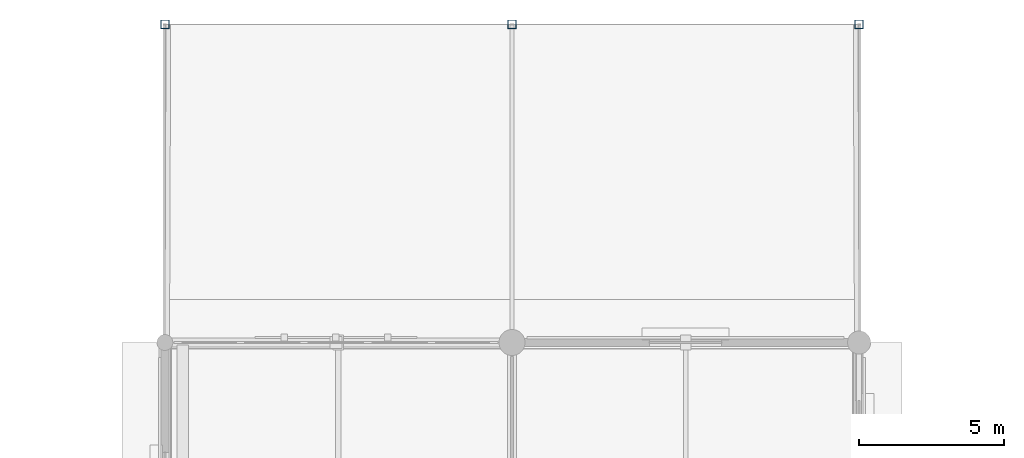
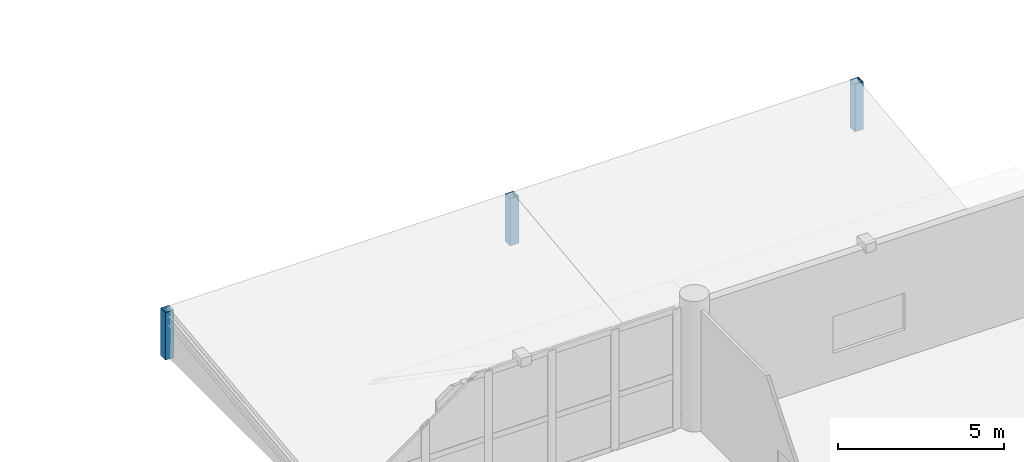
# One storey, part 20 of 143: 3 columns.
"""IFC4 building model written with IfcOpenShell, lengths in metres."""

import ifcopenshell
import ifcopenshell.guid

model = None  # the IFC model being written
_history = None  # IfcOwnerHistory: only IFC2X3 demands one
_inside = {}  # id of a spatial element -> (the spatial element, [elements in it])
_under = {}  # id of a project, library or spatial element -> (it, [spatial elements below it])
_declared = {}  # id of a project -> (the project, [libraries it declares])
_typed = {}  # id of a type object -> (the type object, [elements of that type])
_made_of = {}  # id of a material, layer set ... -> (it, [elements and type objects made of it])


def new_model(schema):
    """Start an empty IFC model of exactly this schema.

    Asked for "IFC4X3", IfcOpenShell would pick the latest addendum, in which some entities
    have other attributes; the version numbers below select the first issue.
    IFC2X3 requires an IfcOwnerHistory on every rooted entity: one is made here for all.
    """
    global model, _history
    if schema == "IFC4X3":
        model = ifcopenshell.file(schema_version=(4, 3, 0, 0))
    else:
        model = ifcopenshell.file(schema=schema)
    _inside.clear()
    _under.clear()
    _declared.clear()
    _typed.clear()
    _made_of.clear()
    _history = None
    if model.schema == "IFC2X3":
        org = make("IfcOrganization", Name="unknown")
        user = make(
            "IfcPersonAndOrganization",
            ThePerson=make("IfcPerson", FamilyName="unknown"),
            TheOrganization=org,
        )
        app = make(
            "IfcApplication",
            ApplicationDeveloper=org,
            Version="unknown",
            ApplicationFullName="unknown",
            ApplicationIdentifier="unknown",
        )
        _history = make(
            "IfcOwnerHistory",
            OwningUser=user,
            OwningApplication=app,
            ChangeAction="ADDED",
            CreationDate=0,
        )
    return model


def make(cls, **values):
    """One entity of the class cls with the attributes given. An attribute that is None is left unset."""
    return model.create_entity(
        cls, **{name: value for name, value in values.items() if value is not None}
    )


def rooted(cls, **values):
    """An entity with a GlobalId (a new one), such as an element, a storey or a relation."""
    return make(cls, GlobalId=ifcopenshell.guid.new(), OwnerHistory=_history, **values)


def si_unit(unit_type, name, prefix=None):
    """IfcSIUnit, for example si_unit("LENGTHUNIT", "METRE", prefix="MILLI")."""
    return make("IfcSIUnit", UnitType=unit_type, Prefix=prefix, Name=name)


def assignment(units):
    """IfcUnitAssignment: the units of a project."""
    return None if units is None else make("IfcUnitAssignment", Units=units)


def point(xyz):
    """IfcCartesianPoint."""
    return None if xyz is None else make("IfcCartesianPoint", Coordinates=xyz)


def direction(xyz):
    """IfcDirection."""
    return None if xyz is None else make("IfcDirection", DirectionRatios=xyz)


def frame(location, z_axis=None, x_axis=None):
    """IfcAxis2Placement3D, a coordinate frame: its origin and axes. An axis left out is left unset."""
    return make(
        "IfcAxis2Placement3D",
        Location=point(location),
        Axis=direction(z_axis),
        RefDirection=direction(x_axis),
    )


def frame_2d(location, x_axis=None):
    """IfcAxis2Placement2D, a coordinate frame in the plane: its origin and x axis."""
    return make(
        "IfcAxis2Placement2D", Location=point(location), RefDirection=direction(x_axis)
    )


def origin():
    """The frame at (0, 0, 0) with its axes left unset."""
    return frame((0.0, 0.0, 0.0))


def origin_2d():
    """The frame at (0, 0) in the plane with its x axis left unset."""
    return frame_2d((0.0, 0.0))


def place(relative_to, where):
    """IfcLocalPlacement: puts the frame where relative to a parent placement (None: the world)."""
    return make(
        "IfcLocalPlacement", PlacementRelTo=relative_to, RelativePlacement=where
    )


def context(
    kind, dimensions, precision=None, world=None, true_north=None, identifier=None
):
    """IfcGeometricRepresentationContext, for example the 3D "Model" context."""
    return make(
        "IfcGeometricRepresentationContext",
        ContextIdentifier=identifier,
        ContextType=kind,
        CoordinateSpaceDimension=dimensions,
        Precision=precision,
        WorldCoordinateSystem=world,
        TrueNorth=true_north,
    )


def subcontext(parent, identifier, kind, view, scale=None):
    """IfcGeometricRepresentationSubContext, for example "Body" below "Model"."""
    return make(
        "IfcGeometricRepresentationSubContext",
        ContextIdentifier=identifier,
        ContextType=kind,
        ParentContext=parent,
        TargetScale=scale,
        TargetView=view,
    )


def project(units=None, contexts=None):
    """IfcProject with its units and contexts."""
    return rooted(
        "IfcProject",
        Name="project",
        RepresentationContexts=contexts,
        UnitsInContext=assignment(units),
    )


def spatial(cls, under=None, at=None, **own):
    """A site, building, storey or space (cls), placed at a placement, below another one or the project."""
    s = rooted(cls, ObjectPlacement=at, **own)
    if under is not None:
        _under.setdefault(under.id(), (under, []))[1].append(s)
    return s


def profile(cls, at=None, kind="AREA", **sizes):
    """A parametric profile (cls). Its sizes go by their IFC names, for example OverallWidth=200.0."""
    return make(cls, ProfileType=kind, Position=at, **sizes)


def hollow_rectangle(**sizes):
    """IfcRectangleHollowProfileDef."""
    return profile("IfcRectangleHollowProfileDef", **sizes)


def extrude(swept, where, along, depth):
    """IfcExtrudedAreaSolid: the profile swept, set in the frame where, extruded along a direction by depth."""
    return make(
        "IfcExtrudedAreaSolid",
        SweptArea=swept,
        Position=where,
        ExtrudedDirection=direction(along),
        Depth=depth,
    )


def shape(context_of_items, identifier, shape_type, items):
    """IfcShapeRepresentation: the items that make up one representation, for example the "Body"."""
    return make(
        "IfcShapeRepresentation",
        ContextOfItems=context_of_items,
        RepresentationIdentifier=identifier,
        RepresentationType=shape_type,
        Items=items,
    )


def material(Name=None, Category=None):
    """IfcMaterial."""
    return make("IfcMaterial", Name=Name, Category=Category)


def material_profile(
    of_material, cross_section, Name=None, Category=None, Priority=None
):
    """IfcMaterialProfile: a cross section and its material."""
    return make(
        "IfcMaterialProfile",
        Name=Name,
        Material=of_material,
        Profile=cross_section,
        Priority=Priority,
        Category=Category,
    )


def profile_set(profiles, Name=None, composite=None):
    """IfcMaterialProfileSet."""
    return make(
        "IfcMaterialProfileSet",
        Name=Name,
        MaterialProfiles=profiles,
        CompositeProfile=composite,
    )


def made_of(thing, what):
    """Note that an element or type object is made of a material, layer set ...; save() writes the relation."""
    if what is not None:
        _made_of.setdefault(what.id(), (what, []))[1].append(thing)
    return thing


def type_object(cls, material=None, **own):
    """A type object (cls), such as IfcWallType, which elements share."""
    return made_of(rooted(cls, **own), material)


def element(
    cls,
    number,
    at=None,
    inside=None,
    cuts=None,
    type_object=None,
    material=None,
    context=None,
    identifier="Body",
    shape_type=None,
    held_by="IfcProductDefinitionShape",
    body=None,
    shapes=None,
    **own,
):
    """One element of the class cls, such as IfcWall. Its Tag is "e" and its number.

    at: its placement. inside: the storey or other place that contains it. cuts: it is an
    opening in that element (IfcRelVoidsElement). A single representation is given by context,
    identifier, shape_type and body (its items); several are given by shapes. held_by: the class
    of the entity that holds the representations. save() writes the other relations.
    """
    e = rooted(cls, Tag="e%d" % number, ObjectPlacement=at, **own)
    if body is not None:
        shapes = [shape(context, identifier, shape_type, body)]
    if shapes is not None:
        e.Representation = make(held_by, Representations=shapes)
    if inside is not None:
        _inside.setdefault(inside.id(), (inside, []))[1].append(e)
    if cuts is not None:
        rooted(
            "IfcRelVoidsElement", RelatingBuildingElement=cuts, RelatedOpeningElement=e
        )
    if type_object is not None:
        _typed.setdefault(type_object.id(), (type_object, []))[1].append(e)
    return made_of(e, material)


def aggregate(whole, parts):
    """IfcRelAggregates: a whole, such as a stair, and the parts it consists of."""
    return rooted("IfcRelAggregates", RelatingObject=whole, RelatedObjects=parts)


def save(model, path):
    """Write the relations noted so far, then the file.

    IfcRelAggregates (storeys below a building ...), IfcRelContainedInSpatialStructure (elements
    in a storey), IfcRelDefinesByType, IfcRelAssociatesMaterial and IfcRelDeclares: one each for
    every whole, place, type object, material and project.
    """
    for whole, parts in _under.values():
        aggregate(whole, parts)
    for where, things in _inside.values():
        rooted(
            "IfcRelContainedInSpatialStructure",
            RelatedElements=things,
            RelatingStructure=where,
        )
    for kind, things in _typed.values():
        rooted("IfcRelDefinesByType", RelatedObjects=things, RelatingType=kind)
    for what, things in _made_of.values():
        rooted("IfcRelAssociatesMaterial", RelatedObjects=things, RelatingMaterial=what)
    for by, libraries in _declared.values():
        rooted("IfcRelDeclares", RelatingContext=by, RelatedDefinitions=libraries)
    model.write(path)


model = new_model("IFC4")

# Units and contexts
model_context = context("Model", 3, precision=1e-05, world=origin(), true_north=direction((0.0, 1.0)))
body_context = subcontext(model_context, "Body", "Model", "MODEL_VIEW")
ifc_project = project(units=[si_unit("LENGTHUNIT", "METRE"), si_unit("AREAUNIT", "SQUARE_METRE"), si_unit("VOLUMEUNIT", "CUBIC_METRE"), si_unit("PLANEANGLEUNIT", "RADIAN"), si_unit("MASSUNIT", "GRAM", prefix="KILO")], contexts=[model_context])

# Site, building, storey
site_placement = place(None, origin())
site = spatial("IfcSite", under=ifc_project, at=site_placement, CompositionType="ELEMENT")
building_placement = place(site_placement, origin())
building = spatial("IfcBuilding", under=site, at=building_placement, Name="Luwafu Chhajja Arena", CompositionType="ELEMENT")
storey_placement = place(building_placement, frame((0.0, 0.0, 5.39990234375)))
storey = spatial("IfcBuildingStorey", under=building, at=storey_placement, Name="L01", CompositionType="ELEMENT", Elevation=5.39990234375)

# Columns
ifc_material = material(Name="Steel S355", Category="steel")
ifc_material_profile = material_profile(ifc_material, hollow_rectangle(XDim=0.300048828125, YDim=0.300048828125, WallThickness=0.01611328125, at=origin_2d()), Name="SHS 300x300x16")
ifc_profile_set = profile_set([ifc_material_profile], Name="Steel S355")
column_type = type_object("IfcColumnType", Name="Steel Gallery Post SHS 300", PredefinedType="COLUMN", material=ifc_profile_set)
for number, where, z_axis, x_axis, name in (
    (1, (34.0, 132.0, 0.0), (0.0, 0.0, 1.0), (1.0, 0.0, 0.0), "L01 Cloister Ridge Post 3"),
    (2, (46.0, 132.0, 0.0), (0.0, 0.0, 1.0), (1.0, 0.0, 0.0), "L01 Cloister Ridge Post 4"),
    (3, (58.0, 132.0, 0.0), (0.0, 0.0, 1.0), (1.0, 0.0, 0.0), "L01 Cloister Ridge Post 5"),
):
    element("IfcColumn", number, at=place(storey_placement, frame(where, z_axis=z_axis, x_axis=x_axis)), inside=storey, type_object=column_type, Name=name, PredefinedType="COLUMN", context=body_context, shape_type="SweptSolid", body=[
        extrude(hollow_rectangle(XDim=0.300048828125, YDim=0.300048828125, WallThickness=0.01611328125, at=origin_2d()), origin(), (0.0, 0.0, 1.0), 1.75),
    ])

save(model, "model.ifc")
